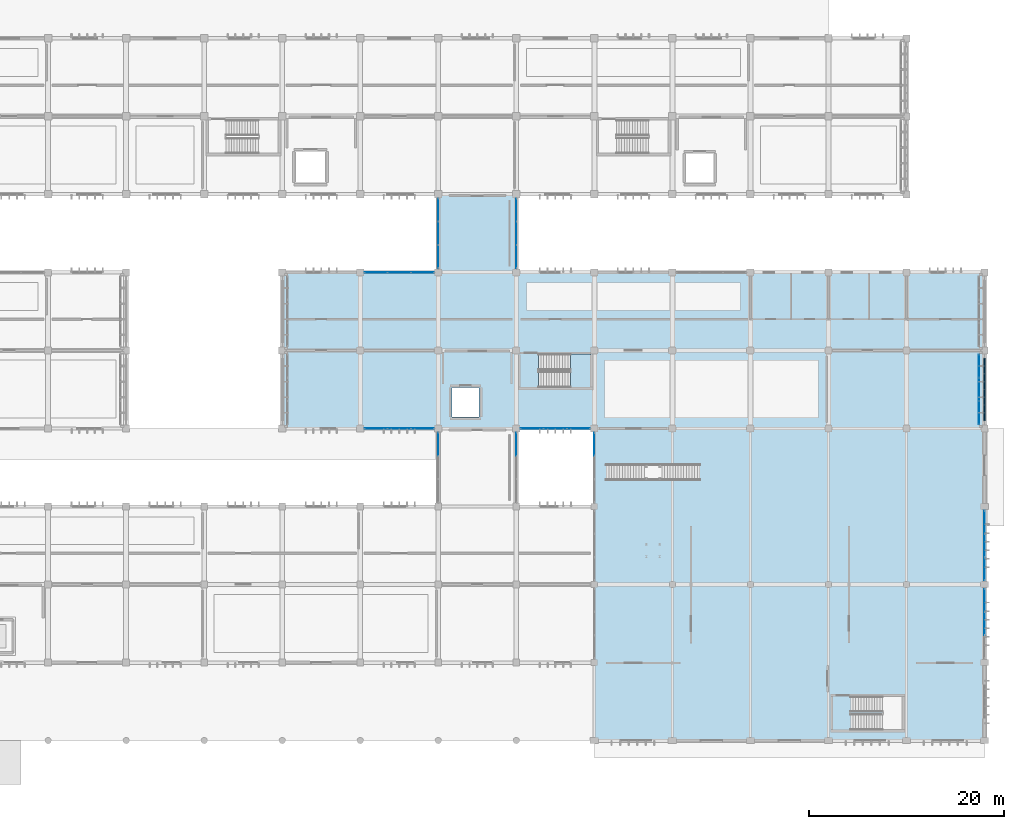
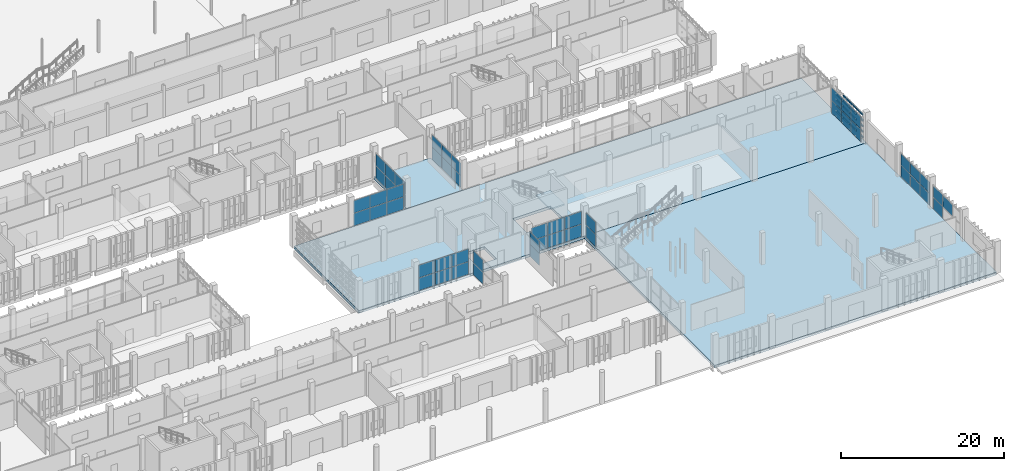
# One storey, part 80 of 117: 70 plates, 4 slabs, 12 elements without a shape of their own.
"""IFC4 building model written with IfcOpenShell, lengths in metres."""

from ifc_helpers import new_model, si_unit, direction, frame, origin, origin_2d, place, context, subcontext, project, spatial, polyline, rectangle, outline, extrude, material, layer, layer_set, type_object, element, aggregate, save


model = new_model("IFC4")

# Units and contexts
model_context = context("Model", 3, precision=1e-05, world=origin(), true_north=direction((0.0, 1.0)))
body_context = subcontext(model_context, "Body", "Model", "MODEL_VIEW")
ifc_project = project(units=[si_unit("LENGTHUNIT", "METRE"), si_unit("AREAUNIT", "SQUARE_METRE"), si_unit("VOLUMEUNIT", "CUBIC_METRE"), si_unit("PLANEANGLEUNIT", "RADIAN"), si_unit("MASSUNIT", "GRAM", prefix="KILO")], contexts=[model_context])

# Site, building, storey
site_placement = place(None, origin())
site = spatial("IfcSite", under=ifc_project, at=site_placement, CompositionType="ELEMENT")
building_placement = place(site_placement, origin())
building = spatial("IfcBuilding", under=site, at=building_placement, Name="Jelvoka-Kovrelna Polytechnic", CompositionType="ELEMENT")
storey_placement = place(building_placement, origin())
storey = spatial("IfcBuildingStorey", under=building, at=storey_placement, Name="L01", CompositionType="ELEMENT", Elevation=0.0)

# Curtain wall, plates
ifc_material_1 = material(Name="Anodised aluminium 6063-T6", Category="aluminium")
ifc_layer_1 = layer(ifc_material_1, 0.159912109375)
ifc_layer_set_1 = layer_set([ifc_layer_1], Name="Anodised aluminium 6063-T6")
curtain_wall_type_1 = type_object("IfcCurtainWallType", Name="CW_Recessed_A", PredefinedType="NOTDEFINED", material=ifc_layer_set_1)
curtain_wall_1_placement = place(storey_placement, origin())
curtain_wall_1 = element("IfcCurtainWall", 1, at=curtain_wall_1_placement, inside=storey, type_object=curtain_wall_type_1, Name="L01 glazed curtain wall 038", PredefinedType="NOTDEFINED")
ifc_material_2 = material(Name="Solar-control double glazing", Category="glass")
ifc_layer_2 = layer(ifc_material_2, 0.028076171875)
ifc_layer_set_2 = layer_set([ifc_layer_2], Name="Solar-control double glazing")
plate_type_1 = type_object("IfcPlateType", Name="Panel_GP-01", PredefinedType="CURTAIN_PANEL", material=ifc_layer_set_2)
plate_1_placement = place(storey_placement, frame((142.385009765625, 32.0, 0.052001953125), z_axis=(0.0, 0.0, 1.0), x_axis=(-1.0, 0.0, 0.0)))
plate_1 = element("IfcPlate", 2, at=plate_1_placement, type_object=plate_type_1, Name="CW-01 panel 1.1", PredefinedType="CURTAIN_PANEL", context=body_context, shape_type="SweptSolid", body=[
    extrude(rectangle(XDim=2.326171875, YDim=0.028076171875, at=origin_2d()), origin(), (0.0, 0.0, 1.0), 1.881103515625),
])
plate_2_placement = place(storey_placement, frame((142.385009765625, 32.0, 1.976806640625), z_axis=(0.0, 0.0, 1.0), x_axis=(-1.0, 0.0, 0.0)))
plate_2 = element("IfcPlate", 3, at=plate_2_placement, type_object=plate_type_1, Name="CW-01 panel 1.2", PredefinedType="CURTAIN_PANEL", context=body_context, shape_type="SweptSolid", body=[
    extrude(rectangle(XDim=2.326171875, YDim=0.028076171875, at=origin_2d()), origin(), (0.0, 0.0, 1.0), 1.881103515625),
])
plate_3_placement = place(storey_placement, frame((140.0, 32.0, 0.052001953125), z_axis=(0.0, 0.0, 1.0), x_axis=(-1.0, 0.0, 0.0)))
plate_3 = element("IfcPlate", 4, at=plate_3_placement, type_object=plate_type_1, Name="CW-01 panel 2.1", PredefinedType="CURTAIN_PANEL", context=body_context, shape_type="SweptSolid", body=[
    extrude(rectangle(XDim=2.356201171875, YDim=0.028076171875, at=origin_2d()), origin(), (0.0, 0.0, 1.0), 1.881103515625),
])
plate_4_placement = place(storey_placement, frame((140.0, 32.0, 1.976806640625), z_axis=(0.0, 0.0, 1.0), x_axis=(-1.0, 0.0, 0.0)))
plate_4 = element("IfcPlate", 5, at=plate_4_placement, type_object=plate_type_1, Name="CW-01 panel 2.2", PredefinedType="CURTAIN_PANEL", context=body_context, shape_type="SweptSolid", body=[
    extrude(rectangle(XDim=2.356201171875, YDim=0.028076171875, at=origin_2d()), origin(), (0.0, 0.0, 1.0), 1.881103515625),
])
plate_5_placement = place(storey_placement, frame((137.614990234375, 32.0, 0.052001953125), z_axis=(0.0, 0.0, 1.0), x_axis=(-1.0, 0.0, 0.0)))
plate_5 = element("IfcPlate", 6, at=plate_5_placement, type_object=plate_type_1, Name="CW-01 panel 3.1", PredefinedType="CURTAIN_PANEL", context=body_context, shape_type="SweptSolid", body=[
    extrude(rectangle(XDim=2.326171875, YDim=0.028076171875, at=origin_2d()), origin(), (0.0, 0.0, 1.0), 1.881103515625),
])
plate_6_placement = place(storey_placement, frame((137.614990234375, 32.0, 1.976806640625), z_axis=(0.0, 0.0, 1.0), x_axis=(-1.0, 0.0, 0.0)))
plate_6 = element("IfcPlate", 7, at=plate_6_placement, type_object=plate_type_1, Name="CW-01 panel 3.2", PredefinedType="CURTAIN_PANEL", context=body_context, shape_type="SweptSolid", body=[
    extrude(rectangle(XDim=2.326171875, YDim=0.028076171875, at=origin_2d()), origin(), (0.0, 0.0, 1.0), 1.881103515625),
])
aggregate(curtain_wall_1, [plate_1, plate_2, plate_3, plate_4, plate_5, plate_6])

curtain_wall_2_placement = place(storey_placement, origin())
curtain_wall_2 = element("IfcCurtainWall", 8, at=curtain_wall_2_placement, inside=storey, type_object=curtain_wall_type_1, Name="L01 glazed curtain wall 039", PredefinedType="NOTDEFINED")
plate_7_placement = place(storey_placement, frame((137.614990234375, 48.0, 0.052001953125), z_axis=(0.0, 0.0, 1.0), x_axis=(1.0, 0.0, 0.0)))
plate_7 = element("IfcPlate", 9, at=plate_7_placement, type_object=plate_type_1, Name="CW-01 panel 1.1", PredefinedType="CURTAIN_PANEL", context=body_context, shape_type="SweptSolid", body=[
    extrude(rectangle(XDim=2.326171875, YDim=0.028076171875, at=origin_2d()), origin(), (0.0, 0.0, 1.0), 1.881103515625),
])
plate_8_placement = place(storey_placement, frame((137.614990234375, 48.0, 1.976806640625), z_axis=(0.0, 0.0, 1.0), x_axis=(1.0, 0.0, 0.0)))
plate_8 = element("IfcPlate", 10, at=plate_8_placement, type_object=plate_type_1, Name="CW-01 panel 1.2", PredefinedType="CURTAIN_PANEL", context=body_context, shape_type="SweptSolid", body=[
    extrude(rectangle(XDim=2.326171875, YDim=0.028076171875, at=origin_2d()), origin(), (0.0, 0.0, 1.0), 1.881103515625),
])
plate_9_placement = place(storey_placement, frame((140.0, 48.0, 0.052001953125), z_axis=(0.0, 0.0, 1.0), x_axis=(1.0, 0.0, 0.0)))
plate_9 = element("IfcPlate", 11, at=plate_9_placement, type_object=plate_type_1, Name="CW-01 panel 2.1", PredefinedType="CURTAIN_PANEL", context=body_context, shape_type="SweptSolid", body=[
    extrude(rectangle(XDim=2.356201171875, YDim=0.028076171875, at=origin_2d()), origin(), (0.0, 0.0, 1.0), 1.881103515625),
])
plate_10_placement = place(storey_placement, frame((140.0, 48.0, 1.976806640625), z_axis=(0.0, 0.0, 1.0), x_axis=(1.0, 0.0, 0.0)))
plate_10 = element("IfcPlate", 12, at=plate_10_placement, type_object=plate_type_1, Name="CW-01 panel 2.2", PredefinedType="CURTAIN_PANEL", context=body_context, shape_type="SweptSolid", body=[
    extrude(rectangle(XDim=2.356201171875, YDim=0.028076171875, at=origin_2d()), origin(), (0.0, 0.0, 1.0), 1.881103515625),
])
plate_11_placement = place(storey_placement, frame((142.385009765625, 48.0, 0.052001953125), z_axis=(0.0, 0.0, 1.0), x_axis=(1.0, 0.0, 0.0)))
plate_11 = element("IfcPlate", 13, at=plate_11_placement, type_object=plate_type_1, Name="CW-01 panel 3.1", PredefinedType="CURTAIN_PANEL", context=body_context, shape_type="SweptSolid", body=[
    extrude(rectangle(XDim=2.326171875, YDim=0.028076171875, at=origin_2d()), origin(), (0.0, 0.0, 1.0), 1.881103515625),
])
plate_12_placement = place(storey_placement, frame((142.385009765625, 48.0, 1.976806640625), z_axis=(0.0, 0.0, 1.0), x_axis=(1.0, 0.0, 0.0)))
plate_12 = element("IfcPlate", 14, at=plate_12_placement, type_object=plate_type_1, Name="CW-01 panel 3.2", PredefinedType="CURTAIN_PANEL", context=body_context, shape_type="SweptSolid", body=[
    extrude(rectangle(XDim=2.326171875, YDim=0.028076171875, at=origin_2d()), origin(), (0.0, 0.0, 1.0), 1.881103515625),
])
aggregate(curtain_wall_2, [plate_7, plate_8, plate_9, plate_10, plate_11, plate_12])

curtain_wall_3_placement = place(storey_placement, origin())
curtain_wall_3 = element("IfcCurtainWall", 15, at=curtain_wall_3_placement, inside=storey, type_object=curtain_wall_type_1, Name="L01 glazed curtain wall 040", PredefinedType="NOTDEFINED")
plate_13_placement = place(storey_placement, frame((158.385009765625, 32.0, 0.052001953125), z_axis=(0.0, 0.0, 1.0), x_axis=(-1.0, 0.0, 0.0)))
plate_13 = element("IfcPlate", 16, at=plate_13_placement, type_object=plate_type_1, Name="CW-01 panel 1.1", PredefinedType="CURTAIN_PANEL", context=body_context, shape_type="SweptSolid", body=[
    extrude(rectangle(XDim=2.326171875, YDim=0.028076171875, at=origin_2d()), origin(), (0.0, 0.0, 1.0), 1.881103515625),
])
plate_14_placement = place(storey_placement, frame((158.385009765625, 32.0, 1.976806640625), z_axis=(0.0, 0.0, 1.0), x_axis=(-1.0, 0.0, 0.0)))
plate_14 = element("IfcPlate", 17, at=plate_14_placement, type_object=plate_type_1, Name="CW-01 panel 1.2", PredefinedType="CURTAIN_PANEL", context=body_context, shape_type="SweptSolid", body=[
    extrude(rectangle(XDim=2.326171875, YDim=0.028076171875, at=origin_2d()), origin(), (0.0, 0.0, 1.0), 1.881103515625),
])
plate_15_placement = place(storey_placement, frame((156.0, 32.0, 0.052001953125), z_axis=(0.0, 0.0, 1.0), x_axis=(-1.0, 0.0, 0.0)))
plate_15 = element("IfcPlate", 18, at=plate_15_placement, type_object=plate_type_1, Name="CW-01 panel 2.1", PredefinedType="CURTAIN_PANEL", context=body_context, shape_type="SweptSolid", body=[
    extrude(rectangle(XDim=2.356201171875, YDim=0.028076171875, at=origin_2d()), origin(), (0.0, 0.0, 1.0), 1.881103515625),
])
plate_16_placement = place(storey_placement, frame((156.0, 32.0, 1.976806640625), z_axis=(0.0, 0.0, 1.0), x_axis=(-1.0, 0.0, 0.0)))
plate_16 = element("IfcPlate", 19, at=plate_16_placement, type_object=plate_type_1, Name="CW-01 panel 2.2", PredefinedType="CURTAIN_PANEL", context=body_context, shape_type="SweptSolid", body=[
    extrude(rectangle(XDim=2.356201171875, YDim=0.028076171875, at=origin_2d()), origin(), (0.0, 0.0, 1.0), 1.881103515625),
])
plate_17_placement = place(storey_placement, frame((153.614990234375, 32.0, 0.052001953125), z_axis=(0.0, 0.0, 1.0), x_axis=(-1.0, 0.0, 0.0)))
plate_17 = element("IfcPlate", 20, at=plate_17_placement, type_object=plate_type_1, Name="CW-01 panel 3.1", PredefinedType="CURTAIN_PANEL", context=body_context, shape_type="SweptSolid", body=[
    extrude(rectangle(XDim=2.326171875, YDim=0.028076171875, at=origin_2d()), origin(), (0.0, 0.0, 1.0), 1.881103515625),
])
plate_18_placement = place(storey_placement, frame((153.614990234375, 32.0, 1.976806640625), z_axis=(0.0, 0.0, 1.0), x_axis=(-1.0, 0.0, 0.0)))
plate_18 = element("IfcPlate", 21, at=plate_18_placement, type_object=plate_type_1, Name="CW-01 panel 3.2", PredefinedType="CURTAIN_PANEL", context=body_context, shape_type="SweptSolid", body=[
    extrude(rectangle(XDim=2.326171875, YDim=0.028076171875, at=origin_2d()), origin(), (0.0, 0.0, 1.0), 1.881103515625),
])
aggregate(curtain_wall_3, [plate_13, plate_14, plate_15, plate_16, plate_17, plate_18])

curtain_wall_4_placement = place(storey_placement, origin())
curtain_wall_4 = element("IfcCurtainWall", 22, at=curtain_wall_4_placement, inside=storey, type_object=curtain_wall_type_1, Name="L01 glazed curtain wall 044", PredefinedType="NOTDEFINED")
plate_19_placement = place(storey_placement, frame((199.43994140625, 38.385009765625, 0.052001953125), z_axis=(0.0, 0.0, 1.0), x_axis=(0.0, -1.0, 0.0)))
plate_19 = element("IfcPlate", 23, at=plate_19_placement, type_object=plate_type_1, Name="CW-01 panel 1.1", PredefinedType="CURTAIN_PANEL", context=body_context, shape_type="SweptSolid", body=[
    extrude(rectangle(XDim=2.326171875, YDim=0.028076171875, at=origin_2d()), origin(), (0.0, 0.0, 1.0), 1.901123046875),
])
plate_20_placement = place(storey_placement, frame((199.43994140625, 38.385009765625, 1.996826171875), z_axis=(0.0, 0.0, 1.0), x_axis=(0.0, -1.0, 0.0)))
plate_20 = element("IfcPlate", 24, at=plate_20_placement, type_object=plate_type_1, Name="CW-01 panel 1.2", PredefinedType="CURTAIN_PANEL", context=body_context, shape_type="SweptSolid", body=[
    extrude(rectangle(XDim=2.326171875, YDim=0.028076171875, at=origin_2d()), origin(), (0.0, 0.0, 1.0), 1.901123046875),
])
plate_21_placement = place(storey_placement, frame((199.43994140625, 36.0, 0.052001953125), z_axis=(0.0, 0.0, 1.0), x_axis=(0.0, -1.0, 0.0)))
plate_21 = element("IfcPlate", 25, at=plate_21_placement, type_object=plate_type_1, Name="CW-01 panel 2.1", PredefinedType="CURTAIN_PANEL", context=body_context, shape_type="SweptSolid", body=[
    extrude(rectangle(XDim=2.356201171875, YDim=0.028076171875, at=origin_2d()), origin(), (0.0, 0.0, 1.0), 1.901123046875),
])
plate_22_placement = place(storey_placement, frame((199.43994140625, 36.0, 1.996826171875), z_axis=(0.0, 0.0, 1.0), x_axis=(0.0, -1.0, 0.0)))
plate_22 = element("IfcPlate", 26, at=plate_22_placement, type_object=plate_type_1, Name="CW-01 panel 2.2", PredefinedType="CURTAIN_PANEL", context=body_context, shape_type="SweptSolid", body=[
    extrude(rectangle(XDim=2.356201171875, YDim=0.028076171875, at=origin_2d()), origin(), (0.0, 0.0, 1.0), 1.901123046875),
])
plate_23_placement = place(storey_placement, frame((199.43994140625, 33.614990234375, 0.052001953125), z_axis=(0.0, 0.0, 1.0), x_axis=(0.0, -1.0, 0.0)))
plate_23 = element("IfcPlate", 27, at=plate_23_placement, type_object=plate_type_1, Name="CW-01 panel 3.1", PredefinedType="CURTAIN_PANEL", context=body_context, shape_type="SweptSolid", body=[
    extrude(rectangle(XDim=2.326171875, YDim=0.028076171875, at=origin_2d()), origin(), (0.0, 0.0, 1.0), 1.901123046875),
])
plate_24_placement = place(storey_placement, frame((199.43994140625, 33.614990234375, 1.996826171875), z_axis=(0.0, 0.0, 1.0), x_axis=(0.0, -1.0, 0.0)))
plate_24 = element("IfcPlate", 28, at=plate_24_placement, type_object=plate_type_1, Name="CW-01 panel 3.2", PredefinedType="CURTAIN_PANEL", context=body_context, shape_type="SweptSolid", body=[
    extrude(rectangle(XDim=2.326171875, YDim=0.028076171875, at=origin_2d()), origin(), (0.0, 0.0, 1.0), 1.901123046875),
])
aggregate(curtain_wall_4, [plate_19, plate_20, plate_21, plate_22, plate_23, plate_24])

ifc_material_3 = material(Name="Anodised aluminium 6063-T6", Category="aluminium")
ifc_layer_3 = layer(ifc_material_3, 0.159912109375)
ifc_layer_set_3 = layer_set([ifc_layer_3], Name="Anodised aluminium 6063-T6")
curtain_wall_type_2 = type_object("IfcCurtainWallType", Name="CW_LinkBridge", PredefinedType="NOTDEFINED", material=ifc_layer_set_3)
curtain_wall_5_placement = place(storey_placement, origin())
curtain_wall_5 = element("IfcCurtainWall", 29, at=curtain_wall_5_placement, inside=storey, type_object=curtain_wall_type_2, Name="L01 glazed curtain wall 100", PredefinedType="NOTDEFINED")
ifc_material_4 = material(Name="Solar-control double glazing", Category="glass")
ifc_layer_4 = layer(ifc_material_4, 0.02392578125)
ifc_layer_set_4 = layer_set([ifc_layer_4], Name="Solar-control double glazing")
plate_type_2 = type_object("IfcPlateType", Name="Panel_GP-04", PredefinedType="CURTAIN_PANEL", material=ifc_layer_set_4)
plate_25_placement = place(storey_placement, frame((144.0, 49.614990234375, 0.052001953125), z_axis=(0.0, 0.0, 1.0), x_axis=(0.0, 1.0, 0.0)))
plate_25 = element("IfcPlate", 30, at=plate_25_placement, type_object=plate_type_2, Name="CW-04 panel 1.1", PredefinedType="CURTAIN_PANEL", context=body_context, shape_type="SweptSolid", body=[
    extrude(rectangle(XDim=2.326171875, YDim=0.02392578125, at=origin_2d()), origin(), (0.0, 0.0, 1.0), 1.80615234375),
])
plate_26_placement = place(storey_placement, frame((144.0, 49.614990234375, 1.90185546875), z_axis=(0.0, 0.0, 1.0), x_axis=(0.0, 1.0, 0.0)))
plate_26 = element("IfcPlate", 31, at=plate_26_placement, type_object=plate_type_2, Name="CW-04 panel 1.2", PredefinedType="CURTAIN_PANEL", context=body_context, shape_type="SweptSolid", body=[
    extrude(rectangle(XDim=2.326171875, YDim=0.02392578125, at=origin_2d()), origin(), (0.0, 0.0, 1.0), 1.80615234375),
])
plate_27_placement = place(storey_placement, frame((144.0, 52.0, 0.052001953125), z_axis=(0.0, 0.0, 1.0), x_axis=(0.0, 1.0, 0.0)))
plate_27 = element("IfcPlate", 32, at=plate_27_placement, type_object=plate_type_2, Name="CW-04 panel 2.1", PredefinedType="CURTAIN_PANEL", context=body_context, shape_type="SweptSolid", body=[
    extrude(rectangle(XDim=2.356201171875, YDim=0.02392578125, at=origin_2d()), origin(), (0.0, 0.0, 1.0), 1.80615234375),
])
plate_28_placement = place(storey_placement, frame((144.0, 52.0, 1.90185546875), z_axis=(0.0, 0.0, 1.0), x_axis=(0.0, 1.0, 0.0)))
plate_28 = element("IfcPlate", 33, at=plate_28_placement, type_object=plate_type_2, Name="CW-04 panel 2.2", PredefinedType="CURTAIN_PANEL", context=body_context, shape_type="SweptSolid", body=[
    extrude(rectangle(XDim=2.356201171875, YDim=0.02392578125, at=origin_2d()), origin(), (0.0, 0.0, 1.0), 1.80615234375),
])
plate_29_placement = place(storey_placement, frame((144.0, 54.385009765625, 0.052001953125), z_axis=(0.0, 0.0, 1.0), x_axis=(0.0, 1.0, 0.0)))
plate_29 = element("IfcPlate", 34, at=plate_29_placement, type_object=plate_type_2, Name="CW-04 panel 3.1", PredefinedType="CURTAIN_PANEL", context=body_context, shape_type="SweptSolid", body=[
    extrude(rectangle(XDim=2.326171875, YDim=0.02392578125, at=origin_2d()), origin(), (0.0, 0.0, 1.0), 1.80615234375),
])
plate_30_placement = place(storey_placement, frame((144.0, 54.385009765625, 1.90185546875), z_axis=(0.0, 0.0, 1.0), x_axis=(0.0, 1.0, 0.0)))
plate_30 = element("IfcPlate", 35, at=plate_30_placement, type_object=plate_type_2, Name="CW-04 panel 3.2", PredefinedType="CURTAIN_PANEL", context=body_context, shape_type="SweptSolid", body=[
    extrude(rectangle(XDim=2.326171875, YDim=0.02392578125, at=origin_2d()), origin(), (0.0, 0.0, 1.0), 1.80615234375),
])
aggregate(curtain_wall_5, [plate_25, plate_26, plate_27, plate_28, plate_29, plate_30])

curtain_wall_6_placement = place(storey_placement, origin())
curtain_wall_6 = element("IfcCurtainWall", 36, at=curtain_wall_6_placement, inside=storey, type_object=curtain_wall_type_2, Name="L01 glazed curtain wall 101", PredefinedType="NOTDEFINED")
plate_31_placement = place(storey_placement, frame((152.0, 54.385009765625, 0.052001953125), z_axis=(0.0, 0.0, 1.0), x_axis=(0.0, -1.0, 0.0)))
plate_31 = element("IfcPlate", 37, at=plate_31_placement, type_object=plate_type_2, Name="CW-04 panel 1.1", PredefinedType="CURTAIN_PANEL", context=body_context, shape_type="SweptSolid", body=[
    extrude(rectangle(XDim=2.326171875, YDim=0.02392578125, at=origin_2d()), origin(), (0.0, 0.0, 1.0), 1.80615234375),
])
plate_32_placement = place(storey_placement, frame((152.0, 54.385009765625, 1.90185546875), z_axis=(0.0, 0.0, 1.0), x_axis=(0.0, -1.0, 0.0)))
plate_32 = element("IfcPlate", 38, at=plate_32_placement, type_object=plate_type_2, Name="CW-04 panel 1.2", PredefinedType="CURTAIN_PANEL", context=body_context, shape_type="SweptSolid", body=[
    extrude(rectangle(XDim=2.326171875, YDim=0.02392578125, at=origin_2d()), origin(), (0.0, 0.0, 1.0), 1.80615234375),
])
plate_33_placement = place(storey_placement, frame((152.0, 52.0, 0.052001953125), z_axis=(0.0, 0.0, 1.0), x_axis=(0.0, -1.0, 0.0)))
plate_33 = element("IfcPlate", 39, at=plate_33_placement, type_object=plate_type_2, Name="CW-04 panel 2.1", PredefinedType="CURTAIN_PANEL", context=body_context, shape_type="SweptSolid", body=[
    extrude(rectangle(XDim=2.356201171875, YDim=0.02392578125, at=origin_2d()), origin(), (0.0, 0.0, 1.0), 1.80615234375),
])
plate_34_placement = place(storey_placement, frame((152.0, 52.0, 1.90185546875), z_axis=(0.0, 0.0, 1.0), x_axis=(0.0, -1.0, 0.0)))
plate_34 = element("IfcPlate", 40, at=plate_34_placement, type_object=plate_type_2, Name="CW-04 panel 2.2", PredefinedType="CURTAIN_PANEL", context=body_context, shape_type="SweptSolid", body=[
    extrude(rectangle(XDim=2.356201171875, YDim=0.02392578125, at=origin_2d()), origin(), (0.0, 0.0, 1.0), 1.80615234375),
])
plate_35_placement = place(storey_placement, frame((152.0, 49.614990234375, 0.052001953125), z_axis=(0.0, 0.0, 1.0), x_axis=(0.0, -1.0, 0.0)))
plate_35 = element("IfcPlate", 41, at=plate_35_placement, type_object=plate_type_2, Name="CW-04 panel 3.1", PredefinedType="CURTAIN_PANEL", context=body_context, shape_type="SweptSolid", body=[
    extrude(rectangle(XDim=2.326171875, YDim=0.02392578125, at=origin_2d()), origin(), (0.0, 0.0, 1.0), 1.80615234375),
])
plate_36_placement = place(storey_placement, frame((152.0, 49.614990234375, 1.90185546875), z_axis=(0.0, 0.0, 1.0), x_axis=(0.0, -1.0, 0.0)))
plate_36 = element("IfcPlate", 42, at=plate_36_placement, type_object=plate_type_2, Name="CW-04 panel 3.2", PredefinedType="CURTAIN_PANEL", context=body_context, shape_type="SweptSolid", body=[
    extrude(rectangle(XDim=2.326171875, YDim=0.02392578125, at=origin_2d()), origin(), (0.0, 0.0, 1.0), 1.80615234375),
])
aggregate(curtain_wall_6, [plate_31, plate_32, plate_33, plate_34, plate_35, plate_36])

curtain_wall_7_placement = place(storey_placement, origin())
curtain_wall_7 = element("IfcCurtainWall", 43, at=curtain_wall_7_placement, inside=storey, type_object=curtain_wall_type_2, Name="L01 glazed curtain wall 106", PredefinedType="NOTDEFINED")
plate_37_placement = place(storey_placement, frame((144.0, 30.385009765625, 0.052001953125), z_axis=(0.0, 0.0, 1.0), x_axis=(0.0, 1.0, 0.0)))
plate_37 = element("IfcPlate", 44, at=plate_37_placement, type_object=plate_type_2, Name="CW-04 panel 3.1", PredefinedType="CURTAIN_PANEL", context=body_context, shape_type="SweptSolid", body=[
    extrude(rectangle(XDim=2.326171875, YDim=0.02392578125, at=origin_2d()), origin(), (0.0, 0.0, 1.0), 1.80615234375),
])
plate_38_placement = place(storey_placement, frame((144.0, 30.385009765625, 1.90185546875), z_axis=(0.0, 0.0, 1.0), x_axis=(0.0, 1.0, 0.0)))
plate_38 = element("IfcPlate", 45, at=plate_38_placement, type_object=plate_type_2, Name="CW-04 panel 3.2", PredefinedType="CURTAIN_PANEL", context=body_context, shape_type="SweptSolid", body=[
    extrude(rectangle(XDim=2.326171875, YDim=0.02392578125, at=origin_2d()), origin(), (0.0, 0.0, 1.0), 1.80615234375),
])
aggregate(curtain_wall_7, [plate_37, plate_38])

curtain_wall_8_placement = place(storey_placement, origin())
curtain_wall_8 = element("IfcCurtainWall", 46, at=curtain_wall_8_placement, inside=storey, type_object=curtain_wall_type_2, Name="L01 glazed curtain wall 107", PredefinedType="NOTDEFINED")
plate_39_placement = place(storey_placement, frame((152.0, 30.385009765625, 0.052001953125), z_axis=(0.0, 0.0, 1.0), x_axis=(0.0, -1.0, 0.0)))
plate_39 = element("IfcPlate", 47, at=plate_39_placement, type_object=plate_type_2, Name="CW-04 panel 1.1", PredefinedType="CURTAIN_PANEL", context=body_context, shape_type="SweptSolid", body=[
    extrude(rectangle(XDim=2.326171875, YDim=0.02392578125, at=origin_2d()), origin(), (0.0, 0.0, 1.0), 1.80615234375),
])
plate_40_placement = place(storey_placement, frame((152.0, 30.385009765625, 1.90185546875), z_axis=(0.0, 0.0, 1.0), x_axis=(0.0, -1.0, 0.0)))
plate_40 = element("IfcPlate", 48, at=plate_40_placement, type_object=plate_type_2, Name="CW-04 panel 1.2", PredefinedType="CURTAIN_PANEL", context=body_context, shape_type="SweptSolid", body=[
    extrude(rectangle(XDim=2.326171875, YDim=0.02392578125, at=origin_2d()), origin(), (0.0, 0.0, 1.0), 1.80615234375),
])
aggregate(curtain_wall_8, [plate_39, plate_40])

ifc_material_5 = material(Name="Anodised aluminium 6063-T6", Category="aluminium")
ifc_layer_5 = layer(ifc_material_5, 0.179931640625)
ifc_layer_set_5 = layer_set([ifc_layer_5], Name="Anodised aluminium 6063-T6")
curtain_wall_type_3 = type_object("IfcCurtainWallType", Name="CW_Pavilion", PredefinedType="NOTDEFINED", material=ifc_layer_set_5)
curtain_wall_9_placement = place(storey_placement, origin())
curtain_wall_9 = element("IfcCurtainWall", 49, at=curtain_wall_9_placement, inside=storey, type_object=curtain_wall_type_3, Name="L01 glazed curtain wall 270", PredefinedType="NOTDEFINED")
ifc_material_6 = material(Name="Solar-control double glazing", Category="glass")
ifc_layer_6 = layer(ifc_material_6, 0.030029296875)
ifc_layer_set_6 = layer_set([ifc_layer_6], Name="Solar-control double glazing")
plate_type_3 = type_object("IfcPlateType", Name="Panel_GP-05", PredefinedType="CURTAIN_PANEL", material=ifc_layer_set_6)
plate_41_placement = place(storey_placement, frame((200.0, 14.3837890625, 0.056884765625), z_axis=(0.0, 0.0, 1.0), x_axis=(0.0, -1.0, 0.0)))
plate_41 = element("IfcPlate", 50, at=plate_41_placement, type_object=plate_type_3, Name="CW-05 panel 1.1", PredefinedType="CURTAIN_PANEL", context=body_context, shape_type="SweptSolid", body=[
    extrude(rectangle(XDim=2.318603515625, YDim=0.030029296875, at=origin_2d()), origin(), (0.0, 0.0, 1.0), 1.713623046875),
])
plate_42_placement = place(storey_placement, frame((200.0, 14.3837890625, 1.819580078125), z_axis=(0.0, 0.0, 1.0), x_axis=(0.0, -1.0, 0.0)))
plate_42 = element("IfcPlate", 51, at=plate_42_placement, type_object=plate_type_3, Name="CW-05 panel 1.2", PredefinedType="CURTAIN_PANEL", context=body_context, shape_type="SweptSolid", body=[
    extrude(rectangle(XDim=2.318603515625, YDim=0.030029296875, at=origin_2d()), origin(), (0.0, 0.0, 1.0), 1.713623046875),
])
plate_43_placement = place(storey_placement, frame((200.0, 12.0, 1.819580078125), z_axis=(0.0, 0.0, 1.0), x_axis=(0.0, -1.0, 0.0)))
plate_43 = element("IfcPlate", 52, at=plate_43_placement, type_object=plate_type_3, Name="CW-05 panel 2.2", PredefinedType="CURTAIN_PANEL", context=body_context, shape_type="SweptSolid", body=[
    extrude(rectangle(XDim=2.35107421875, YDim=0.030029296875, at=origin_2d()), origin(), (0.0, 0.0, 1.0), 1.713623046875),
])
aggregate(curtain_wall_9, [plate_41, plate_42, plate_43])

curtain_wall_10_placement = place(storey_placement, origin())
curtain_wall_10 = element("IfcCurtainWall", 53, at=curtain_wall_10_placement, inside=storey, type_object=curtain_wall_type_3, Name="L01 glazed curtain wall 271", PredefinedType="NOTDEFINED")
plate_44_placement = place(storey_placement, frame((200.0, 22.3837890625, 0.056884765625), z_axis=(0.0, 0.0, 1.0), x_axis=(0.0, -1.0, 0.0)))
plate_44 = element("IfcPlate", 54, at=plate_44_placement, type_object=plate_type_3, Name="CW-05 panel 1.1", PredefinedType="CURTAIN_PANEL", context=body_context, shape_type="SweptSolid", body=[
    extrude(rectangle(XDim=2.318603515625, YDim=0.030029296875, at=origin_2d()), origin(), (0.0, 0.0, 1.0), 1.713623046875),
])
plate_45_placement = place(storey_placement, frame((200.0, 22.3837890625, 1.819580078125), z_axis=(0.0, 0.0, 1.0), x_axis=(0.0, -1.0, 0.0)))
plate_45 = element("IfcPlate", 55, at=plate_45_placement, type_object=plate_type_3, Name="CW-05 panel 1.2", PredefinedType="CURTAIN_PANEL", context=body_context, shape_type="SweptSolid", body=[
    extrude(rectangle(XDim=2.318603515625, YDim=0.030029296875, at=origin_2d()), origin(), (0.0, 0.0, 1.0), 1.713623046875),
])
plate_46_placement = place(storey_placement, frame((200.0, 20.0, 0.056884765625), z_axis=(0.0, 0.0, 1.0), x_axis=(0.0, -1.0, 0.0)))
plate_46 = element("IfcPlate", 56, at=plate_46_placement, type_object=plate_type_3, Name="CW-05 panel 2.1", PredefinedType="CURTAIN_PANEL", context=body_context, shape_type="SweptSolid", body=[
    extrude(rectangle(XDim=2.35107421875, YDim=0.030029296875, at=origin_2d()), origin(), (0.0, 0.0, 1.0), 1.713623046875),
])
plate_47_placement = place(storey_placement, frame((200.0, 20.0, 1.819580078125), z_axis=(0.0, 0.0, 1.0), x_axis=(0.0, -1.0, 0.0)))
plate_47 = element("IfcPlate", 57, at=plate_47_placement, type_object=plate_type_3, Name="CW-05 panel 2.2", PredefinedType="CURTAIN_PANEL", context=body_context, shape_type="SweptSolid", body=[
    extrude(rectangle(XDim=2.35107421875, YDim=0.030029296875, at=origin_2d()), origin(), (0.0, 0.0, 1.0), 1.713623046875),
])
plate_48_placement = place(storey_placement, frame((200.0, 17.6162109375, 0.056884765625), z_axis=(0.0, 0.0, 1.0), x_axis=(0.0, -1.0, 0.0)))
plate_48 = element("IfcPlate", 58, at=plate_48_placement, type_object=plate_type_3, Name="CW-05 panel 3.1", PredefinedType="CURTAIN_PANEL", context=body_context, shape_type="SweptSolid", body=[
    extrude(rectangle(XDim=2.318603515625, YDim=0.030029296875, at=origin_2d()), origin(), (0.0, 0.0, 1.0), 1.713623046875),
])
plate_49_placement = place(storey_placement, frame((200.0, 17.6162109375, 1.819580078125), z_axis=(0.0, 0.0, 1.0), x_axis=(0.0, -1.0, 0.0)))
plate_49 = element("IfcPlate", 59, at=plate_49_placement, type_object=plate_type_3, Name="CW-05 panel 3.2", PredefinedType="CURTAIN_PANEL", context=body_context, shape_type="SweptSolid", body=[
    extrude(rectangle(XDim=2.318603515625, YDim=0.030029296875, at=origin_2d()), origin(), (0.0, 0.0, 1.0), 1.713623046875),
])
aggregate(curtain_wall_10, [plate_44, plate_45, plate_46, plate_47, plate_48, plate_49])

curtain_wall_11_placement = place(storey_placement, origin())
curtain_wall_11 = element("IfcCurtainWall", 60, at=curtain_wall_11_placement, inside=storey, type_object=curtain_wall_type_3, Name="L01 glazed curtain wall 274", PredefinedType="NOTDEFINED")
plate_50_placement = place(storey_placement, frame((160.0, 30.3837890625, 0.056884765625), z_axis=(0.0, 0.0, 1.0), x_axis=(0.0, 1.0, 0.0)))
plate_50 = element("IfcPlate", 61, at=plate_50_placement, type_object=plate_type_3, Name="CW-05 panel 3.1", PredefinedType="CURTAIN_PANEL", context=body_context, shape_type="SweptSolid", body=[
    extrude(rectangle(XDim=2.318603515625, YDim=0.030029296875, at=origin_2d()), origin(), (0.0, 0.0, 1.0), 1.82470703125),
])
plate_51_placement = place(storey_placement, frame((160.0, 30.3837890625, 1.930419921875), z_axis=(0.0, 0.0, 1.0), x_axis=(0.0, 1.0, 0.0)))
plate_51 = element("IfcPlate", 62, at=plate_51_placement, type_object=plate_type_3, Name="CW-05 panel 3.2", PredefinedType="CURTAIN_PANEL", context=body_context, shape_type="SweptSolid", body=[
    extrude(rectangle(XDim=2.318603515625, YDim=0.030029296875, at=origin_2d()), origin(), (0.0, 0.0, 1.0), 1.82470703125),
])
aggregate(curtain_wall_11, [plate_50, plate_51])

# Plates
ifc_material_7 = material(Name="Perforated fired terracotta block", Category="masonry")
ifc_layer_7 = layer(ifc_material_7, 0.159912109375)
ifc_layer_set_7 = layer_set([ifc_layer_7], Name="Perforated fired terracotta block")
plate_type_4 = type_object("IfcPlateType", Name="Screen_Terracotta_TP01", PredefinedType="USERDEFINED", material=ifc_layer_set_7)
for number, where, z_axis, x_axis, name in (
    (63, (199.97998046875, 33.60009765625, 0.2001953125), (0.0, 0.0, 1.0), (0.0, 1.0, 0.0), "L01 perforated terracotta lattice band 0461"),
    (64, (199.97998046875, 33.60009765625, 1.04248046875), (0.0, 0.0, 1.0), (0.0, 1.0, 0.0), "L01 perforated terracotta lattice band 0462"),
    (65, (199.97998046875, 33.60009765625, 1.884765625), (0.0, 0.0, 1.0), (0.0, 1.0, 0.0), "L01 perforated terracotta lattice band 0463"),
    (66, (199.97998046875, 33.60009765625, 2.7275390625), (0.0, 0.0, 1.0), (0.0, 1.0, 0.0), "L01 perforated terracotta lattice band 0464"),
    (67, (199.97998046875, 33.60009765625, 3.56982421875), (0.0, 0.0, 1.0), (0.0, 1.0, 0.0), "L01 perforated terracotta lattice band 0465"),
    (68, (199.97998046875, 35.199951171875, 0.2001953125), (0.0, 0.0, 1.0), (0.0, 1.0, 0.0), "L01 perforated terracotta lattice band 0466"),
    (69, (199.97998046875, 35.199951171875, 1.04248046875), (0.0, 0.0, 1.0), (0.0, 1.0, 0.0), "L01 perforated terracotta lattice band 0467"),
    (70, (199.97998046875, 35.199951171875, 1.884765625), (0.0, 0.0, 1.0), (0.0, 1.0, 0.0), "L01 perforated terracotta lattice band 0468"),
    (71, (199.97998046875, 35.199951171875, 2.7275390625), (0.0, 0.0, 1.0), (0.0, 1.0, 0.0), "L01 perforated terracotta lattice band 0469"),
    (72, (199.97998046875, 35.199951171875, 3.56982421875), (0.0, 0.0, 1.0), (0.0, 1.0, 0.0), "L01 perforated terracotta lattice band 0470"),
    (73, (199.97998046875, 36.800048828125, 0.2001953125), (0.0, 0.0, 1.0), (0.0, 1.0, 0.0), "L01 perforated terracotta lattice band 0471"),
    (74, (199.97998046875, 36.800048828125, 1.04248046875), (0.0, 0.0, 1.0), (0.0, 1.0, 0.0), "L01 perforated terracotta lattice band 0472"),
    (75, (199.97998046875, 36.800048828125, 1.884765625), (0.0, 0.0, 1.0), (0.0, 1.0, 0.0), "L01 perforated terracotta lattice band 0473"),
    (76, (199.97998046875, 36.800048828125, 2.7275390625), (0.0, 0.0, 1.0), (0.0, 1.0, 0.0), "L01 perforated terracotta lattice band 0474"),
    (77, (199.97998046875, 36.800048828125, 3.56982421875), (0.0, 0.0, 1.0), (0.0, 1.0, 0.0), "L01 perforated terracotta lattice band 0475"),
    (78, (199.97998046875, 38.39990234375, 0.2001953125), (0.0, 0.0, 1.0), (0.0, 1.0, 0.0), "L01 perforated terracotta lattice band 0476"),
    (79, (199.97998046875, 38.39990234375, 1.04248046875), (0.0, 0.0, 1.0), (0.0, 1.0, 0.0), "L01 perforated terracotta lattice band 0477"),
    (80, (199.97998046875, 38.39990234375, 1.884765625), (0.0, 0.0, 1.0), (0.0, 1.0, 0.0), "L01 perforated terracotta lattice band 0478"),
    (81, (199.97998046875, 38.39990234375, 2.7275390625), (0.0, 0.0, 1.0), (0.0, 1.0, 0.0), "L01 perforated terracotta lattice band 0479"),
):
    element("IfcPlate", number, at=place(storey_placement, frame(where, z_axis=z_axis, x_axis=x_axis)), inside=storey, type_object=plate_type_4, Name=name, ObjectType="SCREEN PANEL", PredefinedType="USERDEFINED", context=body_context, shape_type="SweptSolid", body=[
        extrude(rectangle(XDim=1.60009765625, YDim=0.159912109375, at=origin_2d()), origin(), (0.0, 0.0, 1.0), 0.239990234375),
    ])

# Slabs
ifc_material_8 = material(Name="Concrete C35/45", Category="concrete")
ifc_layer_8 = layer(ifc_material_8, 0.405029296875)
ifc_layer_set_8 = layer_set([ifc_layer_8], Name="Concrete C35/45")
slab_type_1 = type_object("IfcSlabType", Name="Slab_Base_400", PredefinedType="BASESLAB", material=ifc_layer_set_8)
slab_1_placement = place(storey_placement, frame((0.0, 0.0, -0.405029296875)))
element("IfcSlab", 82, at=slab_1_placement, inside=storey, type_object=slab_type_1, Name="L01 B2E structural slab", PredefinedType="BASESLAB", context=body_context, shape_type="SweptSolid", body=[
    extrude(outline(polyline([(128.0, 32.0), (200.0, 32.0), (200.0, 48.0), (128.0, 48.0), (128.0, 32.0)]), holes=[polyline([(145.39990234375, 33.199951171875), (148.199951171875, 33.199951171875), (148.199951171875, 36.199951171875), (145.39990234375, 36.199951171875), (145.39990234375, 33.199951171875)]), polyline([(154.264892578125, 36.199951171875), (159.60009765625, 36.199951171875), (159.60009765625, 39.639892578125), (154.264892578125, 39.639892578125), (154.264892578125, 36.199951171875)])]), origin(), (0.0, 0.0, 1.0), 0.405029296875),
])
slab_2_placement = place(storey_placement, frame((0.0, 0.0, -0.405029296875)))
element("IfcSlab", 83, at=slab_2_placement, inside=storey, type_object=slab_type_1, Name="L01 LNKNE structural slab", PredefinedType="BASESLAB", context=body_context, shape_type="SweptSolid", body=[
    extrude(outline(polyline([(144.0, 48.0), (152.0, 48.0), (152.0, 56.0), (144.0, 56.0), (144.0, 48.0)])), origin(), (0.0, 0.0, 1.0), 0.405029296875),
])
slab_3_placement = place(storey_placement, frame((0.0, 0.0, -0.405029296875)))
element("IfcSlab", 84, at=slab_3_placement, inside=storey, type_object=slab_type_1, Name="L01 V5 structural slab", PredefinedType="BASESLAB", context=body_context, shape_type="SweptSolid", body=[
    extrude(outline(polyline([(160.0, 0.0), (200.0, 0.0), (200.0, 32.0), (160.0, 32.0), (160.0, 0.0)])), origin(), (0.0, 0.0, 1.0), 0.405029296875),
])

# Stair, slab
ifc_material_9 = material(Name="Concrete C35/45", Category="concrete")
stair_type = type_object("IfcStairType", Name="Stair_Dogleg_1620", PredefinedType="TWO_STRAIGHT_RUN_STAIR", material=ifc_material_9)
stair_placement = place(storey_placement, origin())
stair = element("IfcStair", 85, at=stair_placement, inside=storey, type_object=stair_type, Name="L01 ST08", PredefinedType="TWO_STRAIGHT_RUN_STAIR")
ifc_material_10 = material(Name="Concrete C35/45", Category="concrete")
ifc_layer_9 = layer(ifc_material_10, 0.199951171875)
ifc_layer_set_9 = layer_set([ifc_layer_9], Name="Concrete C35/45")
slab_type_2 = type_object("IfcSlabType", Name="Slab_Stair_Landing_200", PredefinedType="LANDING", material=ifc_layer_set_9)
slab_4_placement = place(storey_placement, frame((0.0, 0.0, 2.199951171875)))
slab_4 = element("IfcSlab", 86, at=slab_4_placement, type_object=slab_type_2, Name="ST08 landing 1", PredefinedType="LANDING", context=body_context, shape_type="SweptSolid", body=[
    extrude(outline(polyline([(157.550048828125, 36.199951171875), (159.60009765625, 36.199951171875), (159.60009765625, 39.639892578125), (157.550048828125, 39.639892578125), (157.550048828125, 36.199951171875)])), origin(), (0.0, 0.0, 1.0), 0.199951171875),
])
aggregate(stair, [slab_4])

save(model, "model.ifc")
